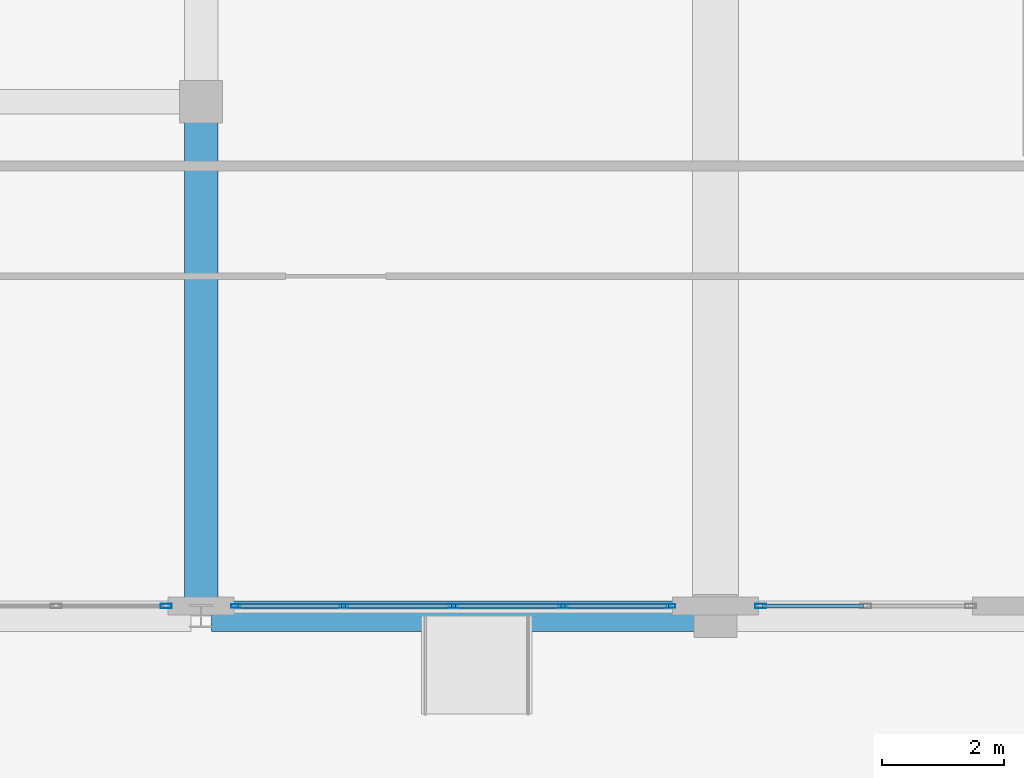
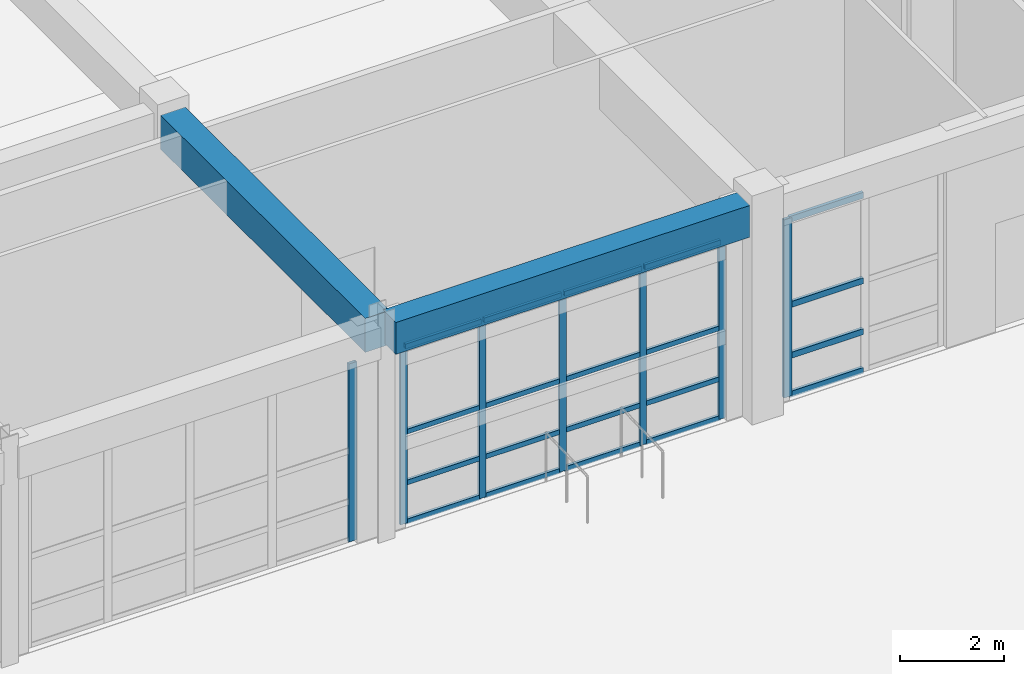
# One storey, part 48 of 148: 27 members, 2 beams, 3 elements without a shape of their own.
"""IFC4 building model written with IfcOpenShell, lengths in metres."""

from ifc_helpers import new_model, si_unit, direction, frame, origin, origin_2d, place, context, subcontext, project, spatial, rectangle, hollow_rectangle, extrude, material, layer, layer_set, material_profile, profile_set, type_object, element, aggregate, save


model = new_model("IFC4")

# Units and contexts
model_context = context("Model", 3, precision=1e-05, world=origin(), true_north=direction((0.0, 1.0)))
body_context = subcontext(model_context, "Body", "Model", "MODEL_VIEW")
ifc_project = project(units=[si_unit("LENGTHUNIT", "METRE"), si_unit("AREAUNIT", "SQUARE_METRE"), si_unit("VOLUMEUNIT", "CUBIC_METRE"), si_unit("PLANEANGLEUNIT", "RADIAN"), si_unit("MASSUNIT", "GRAM", prefix="KILO")], contexts=[model_context])

# Site, building, storey
site_placement = place(None, origin())
site = spatial("IfcSite", under=ifc_project, at=site_placement, CompositionType="ELEMENT")
building_placement = place(site_placement, origin())
building = spatial("IfcBuilding", under=site, at=building_placement, Name="Quendrovan Civic Courthouse", CompositionType="ELEMENT")
storey_placement = place(building_placement, origin())
storey = spatial("IfcBuildingStorey", under=building, at=storey_placement, Name="L01", CompositionType="ELEMENT", Elevation=0.0)

# Beams
ifc_material_1 = material(Name="Concrete C40/50", Category="concrete")
ifc_material_profile_1 = material_profile(ifc_material_1, rectangle(XDim=0.5, YDim=0.75, at=origin_2d()), Name="RC-BM-500x750")
ifc_profile_set_1 = profile_set([ifc_material_profile_1], Name="Concrete C40/50")
beam_type_1 = type_object("IfcBeamType", Name="BM-RC750", PredefinedType="SPANDREL", material=ifc_profile_set_1)
beam_1_placement = place(storey_placement, frame((50.56689453125, 64.800048828125, 4.7451171875), z_axis=(1.0, 0.0, 0.0), x_axis=(0.0, 1.0, 0.0)))
element("IfcBeam", 1, at=beam_1_placement, inside=storey, type_object=beam_type_1, Name="L01 Girder X0291", PredefinedType="SPANDREL", context=body_context, shape_type="SweptSolid", body=[
    extrude(rectangle(XDim=0.5, YDim=0.75, at=origin_2d()), origin(), (0.0, 0.0, 1.0), 7.903076171875),
])
ifc_material_profile_2 = material_profile(ifc_material_1, rectangle(XDim=0.550048828125, YDim=0.800048828125, at=origin_2d()), Name="RC-BM-550x800")
ifc_profile_set_2 = profile_set([ifc_material_profile_2], Name="Concrete C40/50")
beam_type_2 = type_object("IfcBeamType", Name="BM-RC800", PredefinedType="BEAM", material=ifc_profile_set_2)
beam_2_placement = place(storey_placement, frame((50.39990234375, 64.966064453125, 4.719970703125), z_axis=(0.0, 1.0, 0.0), x_axis=(-1.0, 0.0, 0.0)))
element("IfcBeam", 2, at=beam_2_placement, inside=storey, type_object=beam_type_2, Name="L01 Girder Y0417", PredefinedType="BEAM", context=body_context, shape_type="SweptSolid", body=[
    extrude(rectangle(XDim=0.550048828125, YDim=0.800048828125, at=origin_2d()), origin(), (0.0, 0.0, 1.0), 7.904052734375),
])

# Curtain wall, member
ifc_material_2 = material(Name="Bronze anodised aluminium and low-E glass", Category="aluminium")
ifc_layer_1 = layer(ifc_material_2, 0.179931640625, Name="Bronze anodised aluminium and low-E glass")
ifc_layer_set_1 = layer_set([ifc_layer_1], Name="Bronze anodised aluminium and low-E glass")
curtain_wall_type_1 = type_object("IfcCurtainWallType", Name="CW-U35x42", PredefinedType="USERDEFINED", material=ifc_layer_set_1)
curtain_wall_1_placement = place(storey_placement, origin())
curtain_wall_1 = element("IfcCurtainWall", 3, at=curtain_wall_1_placement, inside=storey, type_object=curtain_wall_type_1, Name="L01 Unitised Hurricane Curtain Wall CW-062", ObjectType="UNITISED CURTAIN WALL", PredefinedType="USERDEFINED")
ifc_material_3 = material(Name="Bronze anodised aluminium", Category="aluminium")
ifc_material_profile_3 = material_profile(ifc_material_3, hollow_rectangle(XDim=0.070068359375, YDim=0.179931640625, WallThickness=0.00390625, at=origin_2d()), Name="CW-MULL-70x180")
ifc_profile_set_3 = profile_set([ifc_material_profile_3], Name="Bronze anodised aluminium")
member_type_1 = type_object("IfcMemberType", Name="CW-MULL-A", PredefinedType="MULLION", material=ifc_profile_set_3)
member_1_placement = place(storey_placement, frame((59.534912109375, 64.965087890625, 0.0), z_axis=(0.0, 0.0, 1.0), x_axis=(0.0, -1.0, 0.0)))
member_1 = element("IfcMember", 4, at=member_1_placement, type_object=member_type_1, Name="CW-062 mullion 3", PredefinedType="MULLION", context=body_context, shape_type="SweptSolid", body=[
    extrude(hollow_rectangle(XDim=0.070068359375, YDim=0.179931640625, WallThickness=0.00390625, at=origin_2d()), origin(), (0.0, 0.0, 1.0), 4.199951171875),
])

ifc_layer_2 = layer(ifc_material_2, 0.179931640625, Name="Bronze anodised aluminium and low-E glass")
ifc_layer_set_2 = layer_set([ifc_layer_2], Name="Bronze anodised aluminium and low-E glass")
curtain_wall_type_2 = type_object("IfcCurtainWallType", Name="CW-U73x42", PredefinedType="USERDEFINED", material=ifc_layer_set_2)
curtain_wall_2_placement = place(storey_placement, origin())
curtain_wall_2 = element("IfcCurtainWall", 5, at=curtain_wall_2_placement, inside=storey, type_object=curtain_wall_type_2, Name="L01 Unitised Hurricane Curtain Wall CW-064", ObjectType="UNITISED CURTAIN WALL", PredefinedType="USERDEFINED")
member_2_placement = place(storey_placement, frame((49.827880859375, 64.965087890625, 0.0), z_axis=(0.0, 0.0, 1.0), x_axis=(0.0, -1.0, 0.0)))
member_2 = element("IfcMember", 6, at=member_2_placement, type_object=member_type_1, Name="CW-064 mullion 1", PredefinedType="MULLION", context=body_context, shape_type="SweptSolid", body=[
    extrude(hollow_rectangle(XDim=0.070068359375, YDim=0.179931640625, WallThickness=0.00390625, at=origin_2d()), origin(), (0.0, 0.0, 1.0), 4.199951171875),
])
aggregate(curtain_wall_2, [member_2])

# Curtain wall, members
ifc_layer_3 = layer(ifc_material_2, 0.179931640625, Name="Bronze anodised aluminium and low-E glass")
ifc_layer_set_3 = layer_set([ifc_layer_3], Name="Bronze anodised aluminium and low-E glass")
curtain_wall_type_3 = type_object("IfcCurtainWallType", Name="CW-U72x42", PredefinedType="USERDEFINED", material=ifc_layer_set_3)
curtain_wall_3_placement = place(storey_placement, origin())
curtain_wall_3 = element("IfcCurtainWall", 7, at=curtain_wall_3_placement, inside=storey, type_object=curtain_wall_type_3, Name="L01 Unitised Hurricane Curtain Wall CW-063", ObjectType="UNITISED CURTAIN WALL", PredefinedType="USERDEFINED")
ifc_material_profile_4 = material_profile(ifc_material_3, hollow_rectangle(XDim=0.06494140625, YDim=0.14990234375, WallThickness=0.00390625, at=origin_2d()), Name="CW-MULL-65x150")
ifc_profile_set_4 = profile_set([ifc_material_profile_4], Name="Bronze anodised aluminium")
member_type_2 = type_object("IfcMemberType", Name="CW-MULL-B", PredefinedType="MULLION", material=ifc_profile_set_4)
member_3_placement = place(storey_placement, frame((58.0673828125, 64.965087890625, 0.0), z_axis=(0.0, 0.0, 1.0), x_axis=(0.0, -1.0, 0.0)))
member_3 = element("IfcMember", 8, at=member_3_placement, type_object=member_type_2, Name="CW-063 mullion 1", PredefinedType="MULLION", context=body_context, shape_type="SweptSolid", body=[
    extrude(hollow_rectangle(XDim=0.06494140625, YDim=0.14990234375, WallThickness=0.00390625, at=origin_2d()), origin(), (0.0, 0.0, 1.0), 4.199951171875),
])
member_4_placement = place(storey_placement, frame((56.309326171875, 64.965087890625, 0.0), z_axis=(0.0, 0.0, 1.0), x_axis=(0.0, -1.0, 0.0)))
member_4 = element("IfcMember", 9, at=member_4_placement, type_object=member_type_2, Name="CW-063 mullion 2", PredefinedType="MULLION", context=body_context, shape_type="SweptSolid", body=[
    extrude(hollow_rectangle(XDim=0.06494140625, YDim=0.14990234375, WallThickness=0.00390625, at=origin_2d()), origin(), (0.0, 0.0, 1.0), 4.199951171875),
])
member_5_placement = place(storey_placement, frame((54.5185546875, 64.965087890625, 0.0), z_axis=(0.0, 0.0, 1.0), x_axis=(0.0, -1.0, 0.0)))
member_5 = element("IfcMember", 10, at=member_5_placement, type_object=member_type_2, Name="CW-063 mullion 3", PredefinedType="MULLION", context=body_context, shape_type="SweptSolid", body=[
    extrude(hollow_rectangle(XDim=0.06494140625, YDim=0.14990234375, WallThickness=0.00390625, at=origin_2d()), origin(), (0.0, 0.0, 1.0), 4.199951171875),
])
member_6_placement = place(storey_placement, frame((52.727783203125, 64.965087890625, 0.0), z_axis=(0.0, 0.0, 1.0), x_axis=(0.0, -1.0, 0.0)))
member_6 = element("IfcMember", 11, at=member_6_placement, type_object=member_type_2, Name="CW-063 mullion 4", PredefinedType="MULLION", context=body_context, shape_type="SweptSolid", body=[
    extrude(hollow_rectangle(XDim=0.06494140625, YDim=0.14990234375, WallThickness=0.00390625, at=origin_2d()), origin(), (0.0, 0.0, 1.0), 4.199951171875),
])
member_7_placement = place(storey_placement, frame((50.969482421875, 64.965087890625, 0.0), z_axis=(0.0, 0.0, 1.0), x_axis=(0.0, -1.0, 0.0)))
member_7 = element("IfcMember", 12, at=member_7_placement, type_object=member_type_2, Name="CW-063 mullion 5", PredefinedType="MULLION", context=body_context, shape_type="SweptSolid", body=[
    extrude(hollow_rectangle(XDim=0.06494140625, YDim=0.14990234375, WallThickness=0.00390625, at=origin_2d()), origin(), (0.0, 0.0, 1.0), 4.199951171875),
])

# Member
ifc_material_profile_5 = material_profile(ifc_material_3, hollow_rectangle(XDim=0.070068359375, YDim=0.139892578125, WallThickness=0.00390625, at=origin_2d()), Name="CW-TRAN-70x140")
ifc_profile_set_5 = profile_set([ifc_material_profile_5], Name="Bronze anodised aluminium")
member_type_3 = type_object("IfcMemberType", Name="CW-TRAN-A", PredefinedType="USERDEFINED", material=ifc_profile_set_5)
member_8_placement = place(storey_placement, frame((61.215087890625, 64.965087890625, 0.034912109375), z_axis=(-1.0, 0.0, 0.0), x_axis=(0.0, -1.0, 0.0)))
member_8 = element("IfcMember", 13, at=member_8_placement, type_object=member_type_3, Name="CW-062 transom 2.1", ObjectType="TRANSOM", PredefinedType="USERDEFINED", context=body_context, shape_type="SweptSolid", body=[
    extrude(hollow_rectangle(XDim=0.070068359375, YDim=0.139892578125, WallThickness=0.00390625, at=origin_2d()), origin(), (0.0, 0.0, 1.0), 1.64501953125),
])

member_9_placement = place(storey_placement, frame((61.215087890625, 64.965087890625, 0.949951171875), z_axis=(-1.0, 0.0, 0.0), x_axis=(0.0, -1.0, 0.0)))
member_9 = element("IfcMember", 14, at=member_9_placement, type_object=member_type_3, Name="CW-062 transom 2.2", ObjectType="TRANSOM", PredefinedType="USERDEFINED", context=body_context, shape_type="SweptSolid", body=[
    extrude(hollow_rectangle(XDim=0.070068359375, YDim=0.139892578125, WallThickness=0.00390625, at=origin_2d()), origin(), (0.0, 0.0, 1.0), 1.64501953125),
])

member_10_placement = place(storey_placement, frame((61.215087890625, 64.965087890625, 2.14990234375), z_axis=(-1.0, 0.0, 0.0), x_axis=(0.0, -1.0, 0.0)))
member_10 = element("IfcMember", 15, at=member_10_placement, type_object=member_type_3, Name="CW-062 transom 2.3", ObjectType="TRANSOM", PredefinedType="USERDEFINED", context=body_context, shape_type="SweptSolid", body=[
    extrude(hollow_rectangle(XDim=0.070068359375, YDim=0.139892578125, WallThickness=0.00390625, at=origin_2d()), origin(), (0.0, 0.0, 1.0), 1.64501953125),
])

member_11_placement = place(storey_placement, frame((61.215087890625, 64.965087890625, 4.1650390625), z_axis=(-1.0, 0.0, 0.0), x_axis=(0.0, -1.0, 0.0)))
member_11 = element("IfcMember", 16, at=member_11_placement, type_object=member_type_3, Name="CW-062 transom 2.4", ObjectType="TRANSOM", PredefinedType="USERDEFINED", context=body_context, shape_type="SweptSolid", body=[
    extrude(hollow_rectangle(XDim=0.070068359375, YDim=0.139892578125, WallThickness=0.00390625, at=origin_2d()), origin(), (0.0, 0.0, 1.0), 1.64501953125),
])

aggregate(curtain_wall_1, [member_1, member_8, member_9, member_10, member_11])

ifc_material_profile_6 = material_profile(ifc_material_3, hollow_rectangle(XDim=0.06494140625, YDim=0.114990234375, WallThickness=0.00390625, at=origin_2d()), Name="CW-TRAN-65x115")
ifc_profile_set_6 = profile_set([ifc_material_profile_6], Name="Bronze anodised aluminium")
member_type_4 = type_object("IfcMemberType", Name="CW-TRAN-B", PredefinedType="USERDEFINED", material=ifc_profile_set_6)
member_12_placement = place(storey_placement, frame((58.034912109375, 64.965087890625, 0.032470703125), z_axis=(-1.0, 0.0, 0.0), x_axis=(0.0, -1.0, 0.0)))
member_12 = element("IfcMember", 17, at=member_12_placement, type_object=member_type_4, Name="CW-063 transom 1.1", ObjectType="TRANSOM", PredefinedType="USERDEFINED", context=body_context, shape_type="SweptSolid", body=[
    extrude(hollow_rectangle(XDim=0.06494140625, YDim=0.114990234375, WallThickness=0.00390625, at=origin_2d()), origin(), (0.0, 0.0, 1.0), 1.693115234375),
])

member_13_placement = place(storey_placement, frame((58.034912109375, 64.965087890625, 0.949951171875), z_axis=(-1.0, 0.0, 0.0), x_axis=(0.0, -1.0, 0.0)))
member_13 = element("IfcMember", 18, at=member_13_placement, type_object=member_type_4, Name="CW-063 transom 1.2", ObjectType="TRANSOM", PredefinedType="USERDEFINED", context=body_context, shape_type="SweptSolid", body=[
    extrude(hollow_rectangle(XDim=0.06494140625, YDim=0.114990234375, WallThickness=0.00390625, at=origin_2d()), origin(), (0.0, 0.0, 1.0), 1.693115234375),
])

member_14_placement = place(storey_placement, frame((58.034912109375, 64.965087890625, 2.14990234375), z_axis=(-1.0, 0.0, 0.0), x_axis=(0.0, -1.0, 0.0)))
member_14 = element("IfcMember", 19, at=member_14_placement, type_object=member_type_4, Name="CW-063 transom 1.3", ObjectType="TRANSOM", PredefinedType="USERDEFINED", context=body_context, shape_type="SweptSolid", body=[
    extrude(hollow_rectangle(XDim=0.06494140625, YDim=0.114990234375, WallThickness=0.00390625, at=origin_2d()), origin(), (0.0, 0.0, 1.0), 1.693115234375),
])

member_15_placement = place(storey_placement, frame((58.034912109375, 64.965087890625, 4.16748046875), z_axis=(-1.0, 0.0, 0.0), x_axis=(0.0, -1.0, 0.0)))
member_15 = element("IfcMember", 20, at=member_15_placement, type_object=member_type_4, Name="CW-063 transom 1.4", ObjectType="TRANSOM", PredefinedType="USERDEFINED", context=body_context, shape_type="SweptSolid", body=[
    extrude(hollow_rectangle(XDim=0.06494140625, YDim=0.114990234375, WallThickness=0.00390625, at=origin_2d()), origin(), (0.0, 0.0, 1.0), 1.693115234375),
])

member_16_placement = place(storey_placement, frame((56.27685546875, 64.965087890625, 0.032470703125), z_axis=(-1.0, 0.0, 0.0), x_axis=(0.0, -1.0, 0.0)))
member_16 = element("IfcMember", 21, at=member_16_placement, type_object=member_type_4, Name="CW-063 transom 2.1", ObjectType="TRANSOM", PredefinedType="USERDEFINED", context=body_context, shape_type="SweptSolid", body=[
    extrude(hollow_rectangle(XDim=0.06494140625, YDim=0.114990234375, WallThickness=0.00390625, at=origin_2d()), origin(), (0.0, 0.0, 1.0), 1.725830078125),
])

member_17_placement = place(storey_placement, frame((56.27685546875, 64.965087890625, 0.949951171875), z_axis=(-1.0, 0.0, 0.0), x_axis=(0.0, -1.0, 0.0)))
member_17 = element("IfcMember", 22, at=member_17_placement, type_object=member_type_4, Name="CW-063 transom 2.2", ObjectType="TRANSOM", PredefinedType="USERDEFINED", context=body_context, shape_type="SweptSolid", body=[
    extrude(hollow_rectangle(XDim=0.06494140625, YDim=0.114990234375, WallThickness=0.00390625, at=origin_2d()), origin(), (0.0, 0.0, 1.0), 1.725830078125),
])

member_18_placement = place(storey_placement, frame((56.27685546875, 64.965087890625, 2.14990234375), z_axis=(-1.0, 0.0, 0.0), x_axis=(0.0, -1.0, 0.0)))
member_18 = element("IfcMember", 23, at=member_18_placement, type_object=member_type_4, Name="CW-063 transom 2.3", ObjectType="TRANSOM", PredefinedType="USERDEFINED", context=body_context, shape_type="SweptSolid", body=[
    extrude(hollow_rectangle(XDim=0.06494140625, YDim=0.114990234375, WallThickness=0.00390625, at=origin_2d()), origin(), (0.0, 0.0, 1.0), 1.725830078125),
])

member_19_placement = place(storey_placement, frame((56.27685546875, 64.965087890625, 4.16748046875), z_axis=(-1.0, 0.0, 0.0), x_axis=(0.0, -1.0, 0.0)))
member_19 = element("IfcMember", 24, at=member_19_placement, type_object=member_type_4, Name="CW-063 transom 2.4", ObjectType="TRANSOM", PredefinedType="USERDEFINED", context=body_context, shape_type="SweptSolid", body=[
    extrude(hollow_rectangle(XDim=0.06494140625, YDim=0.114990234375, WallThickness=0.00390625, at=origin_2d()), origin(), (0.0, 0.0, 1.0), 1.725830078125),
])

member_20_placement = place(storey_placement, frame((54.486083984375, 64.965087890625, 0.032470703125), z_axis=(-1.0, 0.0, 0.0), x_axis=(0.0, -1.0, 0.0)))
member_20 = element("IfcMember", 25, at=member_20_placement, type_object=member_type_4, Name="CW-063 transom 3.1", ObjectType="TRANSOM", PredefinedType="USERDEFINED", context=body_context, shape_type="SweptSolid", body=[
    extrude(hollow_rectangle(XDim=0.06494140625, YDim=0.114990234375, WallThickness=0.00390625, at=origin_2d()), origin(), (0.0, 0.0, 1.0), 1.725830078125),
])

member_21_placement = place(storey_placement, frame((54.486083984375, 64.965087890625, 0.949951171875), z_axis=(-1.0, 0.0, 0.0), x_axis=(0.0, -1.0, 0.0)))
member_21 = element("IfcMember", 26, at=member_21_placement, type_object=member_type_4, Name="CW-063 transom 3.2", ObjectType="TRANSOM", PredefinedType="USERDEFINED", context=body_context, shape_type="SweptSolid", body=[
    extrude(hollow_rectangle(XDim=0.06494140625, YDim=0.114990234375, WallThickness=0.00390625, at=origin_2d()), origin(), (0.0, 0.0, 1.0), 1.725830078125),
])

member_22_placement = place(storey_placement, frame((54.486083984375, 64.965087890625, 2.14990234375), z_axis=(-1.0, 0.0, 0.0), x_axis=(0.0, -1.0, 0.0)))
member_22 = element("IfcMember", 27, at=member_22_placement, type_object=member_type_4, Name="CW-063 transom 3.3", ObjectType="TRANSOM", PredefinedType="USERDEFINED", context=body_context, shape_type="SweptSolid", body=[
    extrude(hollow_rectangle(XDim=0.06494140625, YDim=0.114990234375, WallThickness=0.00390625, at=origin_2d()), origin(), (0.0, 0.0, 1.0), 1.725830078125),
])

member_23_placement = place(storey_placement, frame((54.486083984375, 64.965087890625, 4.16748046875), z_axis=(-1.0, 0.0, 0.0), x_axis=(0.0, -1.0, 0.0)))
member_23 = element("IfcMember", 28, at=member_23_placement, type_object=member_type_4, Name="CW-063 transom 3.4", ObjectType="TRANSOM", PredefinedType="USERDEFINED", context=body_context, shape_type="SweptSolid", body=[
    extrude(hollow_rectangle(XDim=0.06494140625, YDim=0.114990234375, WallThickness=0.00390625, at=origin_2d()), origin(), (0.0, 0.0, 1.0), 1.725830078125),
])

member_24_placement = place(storey_placement, frame((52.6953125, 64.965087890625, 0.032470703125), z_axis=(-1.0, 0.0, 0.0), x_axis=(0.0, -1.0, 0.0)))
member_24 = element("IfcMember", 29, at=member_24_placement, type_object=member_type_4, Name="CW-063 transom 4.1", ObjectType="TRANSOM", PredefinedType="USERDEFINED", context=body_context, shape_type="SweptSolid", body=[
    extrude(hollow_rectangle(XDim=0.06494140625, YDim=0.114990234375, WallThickness=0.00390625, at=origin_2d()), origin(), (0.0, 0.0, 1.0), 1.693359375),
])

member_25_placement = place(storey_placement, frame((52.6953125, 64.965087890625, 0.949951171875), z_axis=(-1.0, 0.0, 0.0), x_axis=(0.0, -1.0, 0.0)))
member_25 = element("IfcMember", 30, at=member_25_placement, type_object=member_type_4, Name="CW-063 transom 4.2", ObjectType="TRANSOM", PredefinedType="USERDEFINED", context=body_context, shape_type="SweptSolid", body=[
    extrude(hollow_rectangle(XDim=0.06494140625, YDim=0.114990234375, WallThickness=0.00390625, at=origin_2d()), origin(), (0.0, 0.0, 1.0), 1.693359375),
])

member_26_placement = place(storey_placement, frame((52.6953125, 64.965087890625, 2.14990234375), z_axis=(-1.0, 0.0, 0.0), x_axis=(0.0, -1.0, 0.0)))
member_26 = element("IfcMember", 31, at=member_26_placement, type_object=member_type_4, Name="CW-063 transom 4.3", ObjectType="TRANSOM", PredefinedType="USERDEFINED", context=body_context, shape_type="SweptSolid", body=[
    extrude(hollow_rectangle(XDim=0.06494140625, YDim=0.114990234375, WallThickness=0.00390625, at=origin_2d()), origin(), (0.0, 0.0, 1.0), 1.693359375),
])

member_27_placement = place(storey_placement, frame((52.6953125, 64.965087890625, 4.16748046875), z_axis=(-1.0, 0.0, 0.0), x_axis=(0.0, -1.0, 0.0)))
member_27 = element("IfcMember", 32, at=member_27_placement, type_object=member_type_4, Name="CW-063 transom 4.4", ObjectType="TRANSOM", PredefinedType="USERDEFINED", context=body_context, shape_type="SweptSolid", body=[
    extrude(hollow_rectangle(XDim=0.06494140625, YDim=0.114990234375, WallThickness=0.00390625, at=origin_2d()), origin(), (0.0, 0.0, 1.0), 1.693359375),
])

aggregate(curtain_wall_3, [member_3, member_4, member_5, member_6, member_7, member_12, member_13, member_14, member_15, member_16, member_17, member_18, member_19, member_20, member_21, member_22, member_23, member_24, member_25, member_26, member_27])

save(model, "model.ifc")
